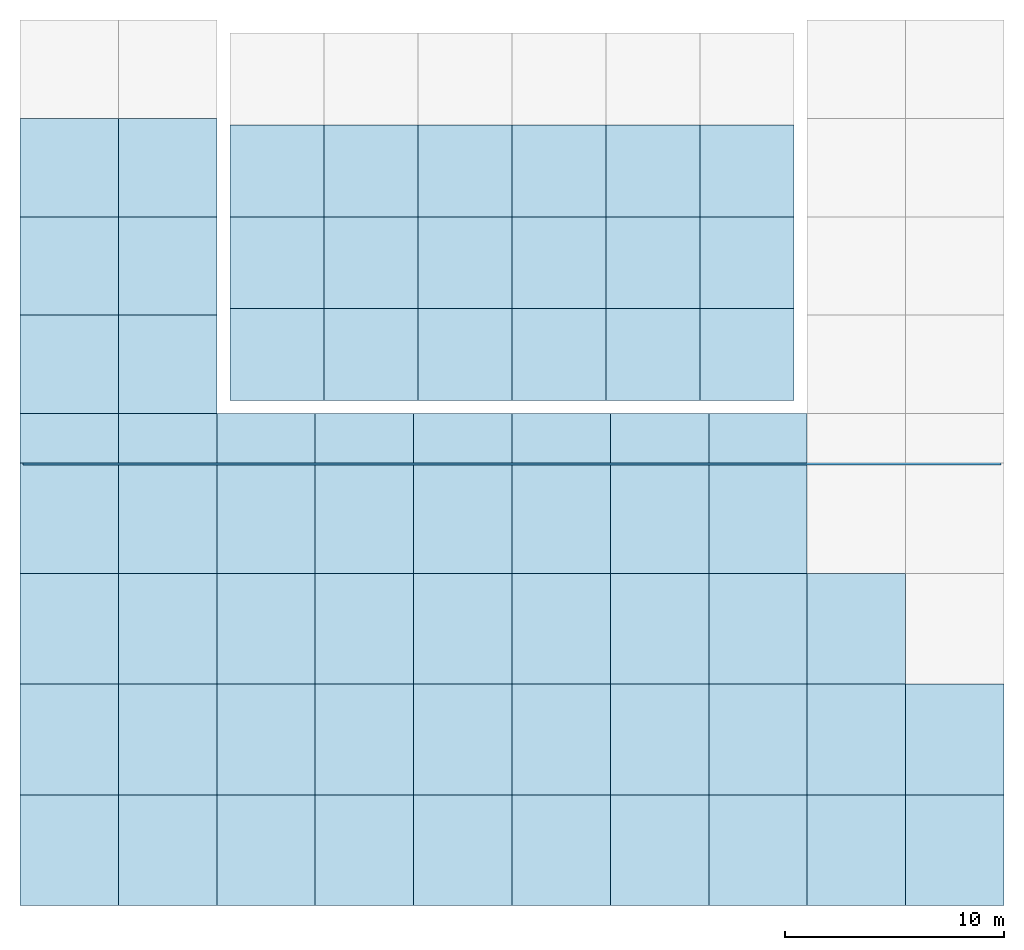
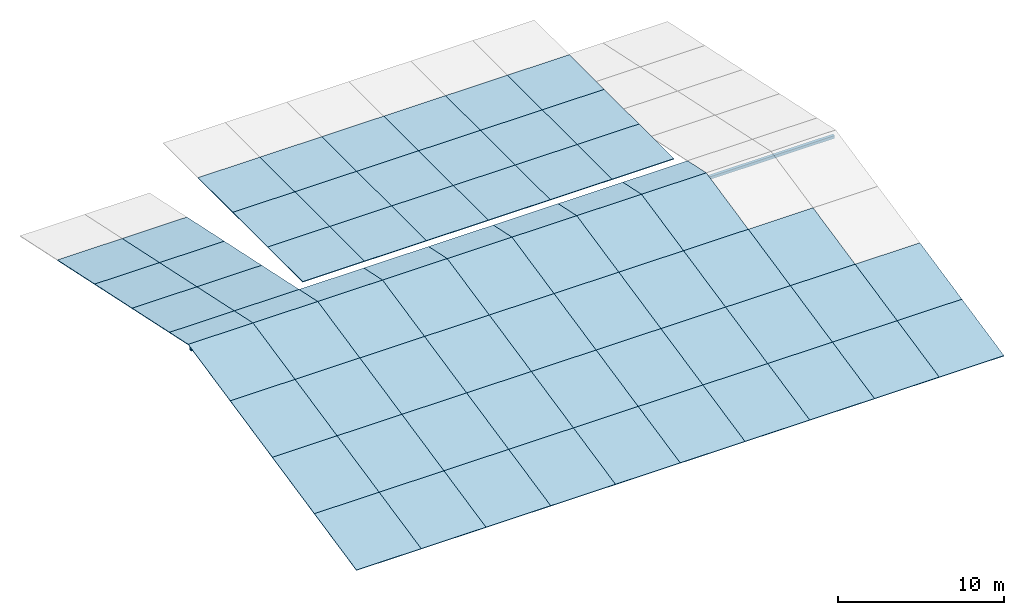
# One storey, part 1 of 2: 69 slabs, 1 beam, 1 element without a shape of its own.
"""IFC4 building model written with IfcOpenShell, lengths in metres."""

from ifc_helpers import new_model, si_unit, direction, frame, origin, origin_2d, place, context, subcontext, project, spatial, polyline, hollow_rectangle, outline, extrude, material, layer, layer_set, material_profile, profile_set, type_object, element, aggregate, save


model = new_model("IFC4")

# Units and contexts
model_context = context("Model", 3, precision=1e-05, world=origin(), true_north=direction((0.0, 1.0)))
body_context = subcontext(model_context, "Body", "Model", "MODEL_VIEW")
ifc_project = project(units=[si_unit("LENGTHUNIT", "METRE"), si_unit("AREAUNIT", "SQUARE_METRE"), si_unit("VOLUMEUNIT", "CUBIC_METRE"), si_unit("PLANEANGLEUNIT", "RADIAN"), si_unit("MASSUNIT", "GRAM", prefix="KILO")], contexts=[model_context])

# Site, building, storey
site_placement = place(None, origin())
site = spatial("IfcSite", under=ifc_project, at=site_placement, CompositionType="ELEMENT")
building_placement = place(site_placement, origin())
building = spatial("IfcBuilding", under=site, at=building_placement, Name="Orbiselva Terraces", CompositionType="ELEMENT")
storey_placement = place(building_placement, frame((0.0, 0.0, 311.922)))
storey = spatial("IfcBuildingStorey", under=building, at=storey_placement, Name="ROOF CROWN CANOPY", CompositionType="ELEMENT", Elevation=311.922)

# Beam
ifc_material_1 = material(Name="Steel ASTM A500 Grade C", Category="steel")
ifc_material_profile = material_profile(ifc_material_1, hollow_rectangle(XDim=0.2032, YDim=0.2032, WallThickness=0.00953, at=origin_2d()), Name="HSS203.2X203.2X9.5")
ifc_profile_set = profile_set([ifc_material_profile], Name="Steel ASTM A500 Grade C")
beam_type = type_object("IfcBeamType", Name="CANOPY EDGE BEAM HSS203.2X203.2X9.5", PredefinedType="BEAM", material=ifc_profile_set)
beam_placement = place(storey_placement, frame((-22.36345, 2.25, 0.1224), z_axis=(1.0, 0.0, 0.0), x_axis=(0.0, 1.0, 0.0)))
element("IfcBeam", 1, at=beam_placement, inside=storey, type_object=beam_type, Name="Canopy ridge beam", PredefinedType="BEAM", context=body_context, shape_type="SweptSolid", body=[
    extrude(hollow_rectangle(XDim=0.2032, YDim=0.2032, WallThickness=0.00953, at=origin_2d()), origin(), (0.0, 0.0, 1.0), 44.7269),
])

# Roof, slabs
ifc_material_2 = material(Name="Bonded two-ply safety glass", Category="glass")
roof_type = type_object("IfcRoofType", Name="ENV-CROWN-ROOF", PredefinedType="GABLE_ROOF", material=ifc_material_2)
roof_placement = place(storey_placement, origin())
roof = element("IfcRoof", 2, at=roof_placement, inside=storey, type_object=roof_type, Name="Crown canopy roof", PredefinedType="GABLE_ROOF")
ifc_layer = layer(ifc_material_2, 0.05)
ifc_layer_set = layer_set([ifc_layer], Name="Bonded two-ply safety glass")
slab_type = type_object("IfcSlabType", Name="ENV-CROWN-GLASS-ROOF-50", PredefinedType="ROOF", material=ifc_layer_set)
slab_1_placement = place(storey_placement, frame((-22.5, -18.0, -3.77627), z_axis=(0.0, -0.20791158111, 0.978147624053), x_axis=(1.0, 0.0, 0.0)))
slab_1 = element("IfcSlab", 3, at=slab_1_placement, type_object=slab_type, Name="Crown canopy glass panel", PredefinedType="ROOF", context=body_context, shape_type="SweptSolid", body=[
    extrude(outline(polyline([(0.0, 0.0), (4.5, 0.0), (4.5, 5.175599138118111), (0.0, 5.175599138118111), (0.0, 0.0)])), origin(), (0.0, 0.0, -1.0), 0.05),
])
slab_2_placement = place(storey_placement, frame((-18.0, -18.0, -3.77627), z_axis=(0.0, -0.20791158111, 0.978147624053), x_axis=(1.0, 0.0, 0.0)))
slab_2 = element("IfcSlab", 4, at=slab_2_placement, type_object=slab_type, Name="Crown canopy glass panel", PredefinedType="ROOF", context=body_context, shape_type="SweptSolid", body=[
    extrude(outline(polyline([(0.0, 0.0), (4.5, 0.0), (4.5, 5.175599138118111), (0.0, 5.175599138118111), (0.0, 0.0)])), origin(), (0.0, 0.0, -1.0), 0.05),
])
slab_3_placement = place(storey_placement, frame((-13.5, -18.0, -3.77627), z_axis=(0.0, -0.20791158111, 0.978147624053), x_axis=(1.0, 0.0, 0.0)))
slab_3 = element("IfcSlab", 5, at=slab_3_placement, type_object=slab_type, Name="Crown canopy glass panel", PredefinedType="ROOF", context=body_context, shape_type="SweptSolid", body=[
    extrude(outline(polyline([(0.0, 0.0), (4.5, 0.0), (4.5, 5.175599138118111), (0.0, 5.175599138118111), (0.0, 0.0)])), origin(), (0.0, 0.0, -1.0), 0.05),
])
slab_4_placement = place(storey_placement, frame((-9.0, -18.0, -3.77627), z_axis=(0.0, -0.20791158111, 0.978147624053), x_axis=(1.0, 0.0, 0.0)))
slab_4 = element("IfcSlab", 6, at=slab_4_placement, type_object=slab_type, Name="Crown canopy glass panel", PredefinedType="ROOF", context=body_context, shape_type="SweptSolid", body=[
    extrude(outline(polyline([(0.0, 0.0), (4.5, 0.0), (4.5, 5.175599138118111), (0.0, 5.175599138118111), (0.0, 0.0)])), origin(), (0.0, 0.0, -1.0), 0.05),
])
slab_5_placement = place(storey_placement, frame((-4.5, -18.0, -3.77627), z_axis=(0.0, -0.20791158111, 0.978147624053), x_axis=(1.0, 0.0, 0.0)))
slab_5 = element("IfcSlab", 7, at=slab_5_placement, type_object=slab_type, Name="Crown canopy glass panel", PredefinedType="ROOF", context=body_context, shape_type="SweptSolid", body=[
    extrude(outline(polyline([(0.0, 0.0), (4.5, 0.0), (4.5, 5.175599138118111), (0.0, 5.175599138118111), (0.0, 0.0)])), origin(), (0.0, 0.0, -1.0), 0.05),
])
slab_6_placement = place(storey_placement, frame((0.0, -18.0, -3.77627), z_axis=(0.0, -0.20791158111, 0.978147624053), x_axis=(1.0, 0.0, 0.0)))
slab_6 = element("IfcSlab", 8, at=slab_6_placement, type_object=slab_type, Name="Crown canopy glass panel", PredefinedType="ROOF", context=body_context, shape_type="SweptSolid", body=[
    extrude(outline(polyline([(0.0, 0.0), (4.5, 0.0), (4.5, 5.175599138118111), (0.0, 5.175599138118111), (0.0, 0.0)])), origin(), (0.0, 0.0, -1.0), 0.05),
])
slab_7_placement = place(storey_placement, frame((4.5, -18.0, -3.77627), z_axis=(0.0, -0.20791158111, 0.978147624053), x_axis=(1.0, 0.0, 0.0)))
slab_7 = element("IfcSlab", 9, at=slab_7_placement, type_object=slab_type, Name="Crown canopy glass panel", PredefinedType="ROOF", context=body_context, shape_type="SweptSolid", body=[
    extrude(outline(polyline([(0.0, 0.0), (4.5, 0.0), (4.5, 5.175599138118111), (0.0, 5.175599138118111), (0.0, 0.0)])), origin(), (0.0, 0.0, -1.0), 0.05),
])
slab_8_placement = place(storey_placement, frame((9.0, -18.0, -3.77627), z_axis=(0.0, -0.20791158111, 0.978147624053), x_axis=(1.0, 0.0, 0.0)))
slab_8 = element("IfcSlab", 10, at=slab_8_placement, type_object=slab_type, Name="Crown canopy glass panel", PredefinedType="ROOF", context=body_context, shape_type="SweptSolid", body=[
    extrude(outline(polyline([(0.0, 0.0), (4.5, 0.0), (4.5, 5.175599138118111), (0.0, 5.175599138118111), (0.0, 0.0)])), origin(), (0.0, 0.0, -1.0), 0.05),
])
slab_9_placement = place(storey_placement, frame((13.5, -18.0, -3.77627), z_axis=(0.0, -0.20791158111, 0.978147624053), x_axis=(1.0, 0.0, 0.0)))
slab_9 = element("IfcSlab", 11, at=slab_9_placement, type_object=slab_type, Name="Crown canopy glass panel", PredefinedType="ROOF", context=body_context, shape_type="SweptSolid", body=[
    extrude(outline(polyline([(0.0, 0.0), (4.5, 0.0), (4.5, 5.175599138118111), (0.0, 5.175599138118111), (0.0, 0.0)])), origin(), (0.0, 0.0, -1.0), 0.05),
])
slab_10_placement = place(storey_placement, frame((18.0, -18.0, -3.77627), z_axis=(0.0, -0.20791158111, 0.978147624053), x_axis=(1.0, 0.0, 0.0)))
slab_10 = element("IfcSlab", 12, at=slab_10_placement, type_object=slab_type, Name="Crown canopy glass panel", PredefinedType="ROOF", context=body_context, shape_type="SweptSolid", body=[
    extrude(outline(polyline([(0.0, 0.0), (4.5, 0.0), (4.5, 5.175599138118111), (0.0, 5.175599138118111), (0.0, 0.0)])), origin(), (0.0, 0.0, -1.0), 0.05),
])
slab_11_placement = place(storey_placement, frame((-22.5, -12.9375, -2.700203), z_axis=(0.0, -0.207911765973, 0.978147584759), x_axis=(1.0, 0.0, 0.0)))
slab_11 = element("IfcSlab", 13, at=slab_11_placement, type_object=slab_type, Name="Crown canopy glass panel", PredefinedType="ROOF", context=body_context, shape_type="SweptSolid", body=[
    extrude(outline(polyline([(0.0, 0.0), (4.5, 0.0), (4.5, 5.175599346029795), (0.0, 5.175599346029795), (0.0, 0.0)])), origin(), (0.0, 0.0, -1.0), 0.05),
])
slab_12_placement = place(storey_placement, frame((-18.0, -12.9375, -2.700203), z_axis=(0.0, -0.207911765973, 0.978147584759), x_axis=(1.0, 0.0, 0.0)))
slab_12 = element("IfcSlab", 14, at=slab_12_placement, type_object=slab_type, Name="Crown canopy glass panel", PredefinedType="ROOF", context=body_context, shape_type="SweptSolid", body=[
    extrude(outline(polyline([(0.0, 0.0), (4.5, 0.0), (4.5, 5.175599346029795), (0.0, 5.175599346029795), (0.0, 0.0)])), origin(), (0.0, 0.0, -1.0), 0.05),
])
slab_13_placement = place(storey_placement, frame((-13.5, -12.9375, -2.700203), z_axis=(0.0, -0.207911765973, 0.978147584759), x_axis=(1.0, 0.0, 0.0)))
slab_13 = element("IfcSlab", 15, at=slab_13_placement, type_object=slab_type, Name="Crown canopy glass panel", PredefinedType="ROOF", context=body_context, shape_type="SweptSolid", body=[
    extrude(outline(polyline([(0.0, 0.0), (4.5, 0.0), (4.5, 5.175599346029795), (0.0, 5.175599346029795), (0.0, 0.0)])), origin(), (0.0, 0.0, -1.0), 0.05),
])
slab_14_placement = place(storey_placement, frame((-9.0, -12.9375, -2.700203), z_axis=(0.0, -0.207911765973, 0.978147584759), x_axis=(1.0, 0.0, 0.0)))
slab_14 = element("IfcSlab", 16, at=slab_14_placement, type_object=slab_type, Name="Crown canopy glass panel", PredefinedType="ROOF", context=body_context, shape_type="SweptSolid", body=[
    extrude(outline(polyline([(0.0, 0.0), (4.5, 0.0), (4.5, 5.175599346029795), (0.0, 5.175599346029795), (0.0, 0.0)])), origin(), (0.0, 0.0, -1.0), 0.05),
])
slab_15_placement = place(storey_placement, frame((-4.5, -12.9375, -2.700203), z_axis=(0.0, -0.207911765973, 0.978147584759), x_axis=(1.0, 0.0, 0.0)))
slab_15 = element("IfcSlab", 17, at=slab_15_placement, type_object=slab_type, Name="Crown canopy glass panel", PredefinedType="ROOF", context=body_context, shape_type="SweptSolid", body=[
    extrude(outline(polyline([(0.0, 0.0), (4.5, 0.0), (4.5, 5.175599346029795), (0.0, 5.175599346029795), (0.0, 0.0)])), origin(), (0.0, 0.0, -1.0), 0.05),
])
slab_16_placement = place(storey_placement, frame((0.0, -12.9375, -2.700203), z_axis=(0.0, -0.207911765973, 0.978147584759), x_axis=(1.0, 0.0, 0.0)))
slab_16 = element("IfcSlab", 18, at=slab_16_placement, type_object=slab_type, Name="Crown canopy glass panel", PredefinedType="ROOF", context=body_context, shape_type="SweptSolid", body=[
    extrude(outline(polyline([(0.0, 0.0), (4.5, 0.0), (4.5, 5.175599346029795), (0.0, 5.175599346029795), (0.0, 0.0)])), origin(), (0.0, 0.0, -1.0), 0.05),
])
slab_17_placement = place(storey_placement, frame((4.5, -12.9375, -2.700203), z_axis=(0.0, -0.207911765973, 0.978147584759), x_axis=(1.0, 0.0, 0.0)))
slab_17 = element("IfcSlab", 19, at=slab_17_placement, type_object=slab_type, Name="Crown canopy glass panel", PredefinedType="ROOF", context=body_context, shape_type="SweptSolid", body=[
    extrude(outline(polyline([(0.0, 0.0), (4.5, 0.0), (4.5, 5.175599346029795), (0.0, 5.175599346029795), (0.0, 0.0)])), origin(), (0.0, 0.0, -1.0), 0.05),
])
slab_18_placement = place(storey_placement, frame((9.0, -12.9375, -2.700203), z_axis=(0.0, -0.207911765973, 0.978147584759), x_axis=(1.0, 0.0, 0.0)))
slab_18 = element("IfcSlab", 20, at=slab_18_placement, type_object=slab_type, Name="Crown canopy glass panel", PredefinedType="ROOF", context=body_context, shape_type="SweptSolid", body=[
    extrude(outline(polyline([(0.0, 0.0), (4.5, 0.0), (4.5, 5.175599346029795), (0.0, 5.175599346029795), (0.0, 0.0)])), origin(), (0.0, 0.0, -1.0), 0.05),
])
slab_19_placement = place(storey_placement, frame((13.5, -12.9375, -2.700203), z_axis=(0.0, -0.207911765973, 0.978147584759), x_axis=(1.0, 0.0, 0.0)))
slab_19 = element("IfcSlab", 21, at=slab_19_placement, type_object=slab_type, Name="Crown canopy glass panel", PredefinedType="ROOF", context=body_context, shape_type="SweptSolid", body=[
    extrude(outline(polyline([(0.0, 0.0), (4.5, 0.0), (4.5, 5.175599346029795), (0.0, 5.175599346029795), (0.0, 0.0)])), origin(), (0.0, 0.0, -1.0), 0.05),
])
slab_20_placement = place(storey_placement, frame((18.0, -12.9375, -2.700203), z_axis=(0.0, -0.207911765973, 0.978147584759), x_axis=(1.0, 0.0, 0.0)))
slab_20 = element("IfcSlab", 22, at=slab_20_placement, type_object=slab_type, Name="Crown canopy glass panel", PredefinedType="ROOF", context=body_context, shape_type="SweptSolid", body=[
    extrude(outline(polyline([(0.0, 0.0), (4.5, 0.0), (4.5, 5.175599346029795), (0.0, 5.175599346029795), (0.0, 0.0)])), origin(), (0.0, 0.0, -1.0), 0.05),
])
slab_21_placement = place(storey_placement, frame((-22.5, -7.875, -1.624135), z_axis=(0.0, -0.20791158111, 0.978147624053), x_axis=(1.0, 0.0, 0.0)))
slab_21 = element("IfcSlab", 23, at=slab_21_placement, type_object=slab_type, Name="Crown canopy glass panel", PredefinedType="ROOF", context=body_context, shape_type="SweptSolid", body=[
    extrude(outline(polyline([(0.0, 0.0), (4.5, 0.0), (4.5, 5.175599138118122), (0.0, 5.175599138118122), (0.0, 0.0)])), origin(), (0.0, 0.0, -1.0), 0.05),
])
slab_22_placement = place(storey_placement, frame((-18.0, -7.875, -1.624135), z_axis=(0.0, -0.20791158111, 0.978147624053), x_axis=(1.0, 0.0, 0.0)))
slab_22 = element("IfcSlab", 24, at=slab_22_placement, type_object=slab_type, Name="Crown canopy glass panel", PredefinedType="ROOF", context=body_context, shape_type="SweptSolid", body=[
    extrude(outline(polyline([(0.0, 0.0), (4.5, 0.0), (4.5, 5.175599138118122), (0.0, 5.175599138118122), (0.0, 0.0)])), origin(), (0.0, 0.0, -1.0), 0.05),
])
slab_23_placement = place(storey_placement, frame((-13.5, -7.875, -1.624135), z_axis=(0.0, -0.20791158111, 0.978147624053), x_axis=(1.0, 0.0, 0.0)))
slab_23 = element("IfcSlab", 25, at=slab_23_placement, type_object=slab_type, Name="Crown canopy glass panel", PredefinedType="ROOF", context=body_context, shape_type="SweptSolid", body=[
    extrude(outline(polyline([(0.0, 0.0), (4.5, 0.0), (4.5, 5.175599138118122), (0.0, 5.175599138118122), (0.0, 0.0)])), origin(), (0.0, 0.0, -1.0), 0.05),
])
slab_24_placement = place(storey_placement, frame((-9.0, -7.875, -1.624135), z_axis=(0.0, -0.20791158111, 0.978147624053), x_axis=(1.0, 0.0, 0.0)))
slab_24 = element("IfcSlab", 26, at=slab_24_placement, type_object=slab_type, Name="Crown canopy glass panel", PredefinedType="ROOF", context=body_context, shape_type="SweptSolid", body=[
    extrude(outline(polyline([(0.0, 0.0), (4.5, 0.0), (4.5, 5.175599138118122), (0.0, 5.175599138118122), (0.0, 0.0)])), origin(), (0.0, 0.0, -1.0), 0.05),
])
slab_25_placement = place(storey_placement, frame((-4.5, -7.875, -1.624135), z_axis=(0.0, -0.20791158111, 0.978147624053), x_axis=(1.0, 0.0, 0.0)))
slab_25 = element("IfcSlab", 27, at=slab_25_placement, type_object=slab_type, Name="Crown canopy glass panel", PredefinedType="ROOF", context=body_context, shape_type="SweptSolid", body=[
    extrude(outline(polyline([(0.0, 0.0), (4.5, 0.0), (4.5, 5.175599138118122), (0.0, 5.175599138118122), (0.0, 0.0)])), origin(), (0.0, 0.0, -1.0), 0.05),
])
slab_26_placement = place(storey_placement, frame((0.0, -7.875, -1.624135), z_axis=(0.0, -0.20791158111, 0.978147624053), x_axis=(1.0, 0.0, 0.0)))
slab_26 = element("IfcSlab", 28, at=slab_26_placement, type_object=slab_type, Name="Crown canopy glass panel", PredefinedType="ROOF", context=body_context, shape_type="SweptSolid", body=[
    extrude(outline(polyline([(0.0, 0.0), (4.5, 0.0), (4.5, 5.175599138118122), (0.0, 5.175599138118122), (0.0, 0.0)])), origin(), (0.0, 0.0, -1.0), 0.05),
])
slab_27_placement = place(storey_placement, frame((4.5, -7.875, -1.624135), z_axis=(0.0, -0.20791158111, 0.978147624053), x_axis=(1.0, 0.0, 0.0)))
slab_27 = element("IfcSlab", 29, at=slab_27_placement, type_object=slab_type, Name="Crown canopy glass panel", PredefinedType="ROOF", context=body_context, shape_type="SweptSolid", body=[
    extrude(outline(polyline([(0.0, 0.0), (4.5, 0.0), (4.5, 5.175599138118122), (0.0, 5.175599138118122), (0.0, 0.0)])), origin(), (0.0, 0.0, -1.0), 0.05),
])
slab_28_placement = place(storey_placement, frame((9.0, -7.875, -1.624135), z_axis=(0.0, -0.20791158111, 0.978147624053), x_axis=(1.0, 0.0, 0.0)))
slab_28 = element("IfcSlab", 30, at=slab_28_placement, type_object=slab_type, Name="Crown canopy glass panel", PredefinedType="ROOF", context=body_context, shape_type="SweptSolid", body=[
    extrude(outline(polyline([(0.0, 0.0), (4.5, 0.0), (4.5, 5.175599138118122), (0.0, 5.175599138118122), (0.0, 0.0)])), origin(), (0.0, 0.0, -1.0), 0.05),
])
slab_29_placement = place(storey_placement, frame((13.5, -7.875, -1.624135), z_axis=(0.0, -0.20791158111, 0.978147624053), x_axis=(1.0, 0.0, 0.0)))
slab_29 = element("IfcSlab", 31, at=slab_29_placement, type_object=slab_type, Name="Crown canopy glass panel", PredefinedType="ROOF", context=body_context, shape_type="SweptSolid", body=[
    extrude(outline(polyline([(0.0, 0.0), (4.5, 0.0), (4.5, 5.175599138118122), (0.0, 5.175599138118122), (0.0, 0.0)])), origin(), (0.0, 0.0, -1.0), 0.05),
])
slab_30_placement = place(storey_placement, frame((-22.5, -2.8125, -0.548068), z_axis=(0.0, -0.207911765973, 0.978147584759), x_axis=(1.0, 0.0, 0.0)))
slab_30 = element("IfcSlab", 32, at=slab_30_placement, type_object=slab_type, Name="Crown canopy glass panel", PredefinedType="ROOF", context=body_context, shape_type="SweptSolid", body=[
    extrude(outline(polyline([(0.0, 0.0), (4.5, 0.0), (4.5, 5.1755993460297836), (0.0, 5.1755993460297836), (0.0, 0.0)])), origin(), (0.0, 0.0, -1.0), 0.05),
])
slab_31_placement = place(storey_placement, frame((-18.0, -2.8125, -0.548068), z_axis=(0.0, -0.207911765973, 0.978147584759), x_axis=(1.0, 0.0, 0.0)))
slab_31 = element("IfcSlab", 33, at=slab_31_placement, type_object=slab_type, Name="Crown canopy glass panel", PredefinedType="ROOF", context=body_context, shape_type="SweptSolid", body=[
    extrude(outline(polyline([(0.0, 0.0), (4.5, 0.0), (4.5, 5.1755993460297836), (0.0, 5.1755993460297836), (0.0, 0.0)])), origin(), (0.0, 0.0, -1.0), 0.05),
])
slab_32_placement = place(storey_placement, frame((-13.5, -2.8125, -0.548068), z_axis=(0.0, -0.207911765973, 0.978147584759), x_axis=(1.0, 0.0, 0.0)))
slab_32 = element("IfcSlab", 34, at=slab_32_placement, type_object=slab_type, Name="Crown canopy glass panel", PredefinedType="ROOF", context=body_context, shape_type="SweptSolid", body=[
    extrude(outline(polyline([(0.0, 0.0), (4.5, 0.0), (4.5, 5.1755993460297836), (0.0, 5.1755993460297836), (0.0, 0.0)])), origin(), (0.0, 0.0, -1.0), 0.05),
])
slab_33_placement = place(storey_placement, frame((-9.0, -2.8125, -0.548068), z_axis=(0.0, -0.207911765973, 0.978147584759), x_axis=(1.0, 0.0, 0.0)))
slab_33 = element("IfcSlab", 35, at=slab_33_placement, type_object=slab_type, Name="Crown canopy glass panel", PredefinedType="ROOF", context=body_context, shape_type="SweptSolid", body=[
    extrude(outline(polyline([(0.0, 0.0), (4.5, 0.0), (4.5, 5.1755993460297836), (0.0, 5.1755993460297836), (0.0, 0.0)])), origin(), (0.0, 0.0, -1.0), 0.05),
])
slab_34_placement = place(storey_placement, frame((-4.5, -2.8125, -0.548068), z_axis=(0.0, -0.207911765973, 0.978147584759), x_axis=(1.0, 0.0, 0.0)))
slab_34 = element("IfcSlab", 36, at=slab_34_placement, type_object=slab_type, Name="Crown canopy glass panel", PredefinedType="ROOF", context=body_context, shape_type="SweptSolid", body=[
    extrude(outline(polyline([(0.0, 0.0), (4.5, 0.0), (4.5, 5.1755993460297836), (0.0, 5.1755993460297836), (0.0, 0.0)])), origin(), (0.0, 0.0, -1.0), 0.05),
])
slab_35_placement = place(storey_placement, frame((0.0, -2.8125, -0.548068), z_axis=(0.0, -0.207911765973, 0.978147584759), x_axis=(1.0, 0.0, 0.0)))
slab_35 = element("IfcSlab", 37, at=slab_35_placement, type_object=slab_type, Name="Crown canopy glass panel", PredefinedType="ROOF", context=body_context, shape_type="SweptSolid", body=[
    extrude(outline(polyline([(0.0, 0.0), (4.5, 0.0), (4.5, 5.1755993460297836), (0.0, 5.1755993460297836), (0.0, 0.0)])), origin(), (0.0, 0.0, -1.0), 0.05),
])
slab_36_placement = place(storey_placement, frame((4.5, -2.8125, -0.548068), z_axis=(0.0, -0.207911765973, 0.978147584759), x_axis=(1.0, 0.0, 0.0)))
slab_36 = element("IfcSlab", 38, at=slab_36_placement, type_object=slab_type, Name="Crown canopy glass panel", PredefinedType="ROOF", context=body_context, shape_type="SweptSolid", body=[
    extrude(outline(polyline([(0.0, 0.0), (4.5, 0.0), (4.5, 5.1755993460297836), (0.0, 5.1755993460297836), (0.0, 0.0)])), origin(), (0.0, 0.0, -1.0), 0.05),
])
slab_37_placement = place(storey_placement, frame((9.0, -2.8125, -0.548068), z_axis=(0.0, -0.207911765973, 0.978147584759), x_axis=(1.0, 0.0, 0.0)))
slab_37 = element("IfcSlab", 39, at=slab_37_placement, type_object=slab_type, Name="Crown canopy glass panel", PredefinedType="ROOF", context=body_context, shape_type="SweptSolid", body=[
    extrude(outline(polyline([(0.0, 0.0), (4.5, 0.0), (4.5, 5.1755993460297836), (0.0, 5.1755993460297836), (0.0, 0.0)])), origin(), (0.0, 0.0, -1.0), 0.05),
])
slab_38_placement = place(storey_placement, frame((-22.5, 2.25, 0.528), z_axis=(0.0, 0.20791158111, 0.978147624053), x_axis=(1.0, 0.0, 0.0)))
slab_38 = element("IfcSlab", 40, at=slab_38_placement, type_object=slab_type, Name="Crown canopy glass panel", PredefinedType="ROOF", context=body_context, shape_type="SweptSolid", body=[
    extrude(outline(polyline([(0.0, 0.0), (4.5, 0.0), (4.5, 2.300266283608052), (0.0, 2.300266283608052), (0.0, 0.0)])), origin(), (0.0, 0.0, -1.0), 0.05),
])
slab_39_placement = place(storey_placement, frame((-18.0, 2.25, 0.528), z_axis=(0.0, 0.20791158111, 0.978147624053), x_axis=(1.0, 0.0, 0.0)))
slab_39 = element("IfcSlab", 41, at=slab_39_placement, type_object=slab_type, Name="Crown canopy glass panel", PredefinedType="ROOF", context=body_context, shape_type="SweptSolid", body=[
    extrude(outline(polyline([(0.0, 0.0), (4.5, 0.0), (4.5, 2.300266283608052), (0.0, 2.300266283608052), (0.0, 0.0)])), origin(), (0.0, 0.0, -1.0), 0.05),
])
slab_40_placement = place(storey_placement, frame((-13.5, 2.25, 0.528), z_axis=(0.0, 0.20791158111, 0.978147624053), x_axis=(1.0, 0.0, 0.0)))
slab_40 = element("IfcSlab", 42, at=slab_40_placement, type_object=slab_type, Name="Crown canopy glass panel", PredefinedType="ROOF", context=body_context, shape_type="SweptSolid", body=[
    extrude(outline(polyline([(0.0, 0.0), (4.5, 0.0), (4.5, 2.300266283608052), (0.0, 2.300266283608052), (0.0, 0.0)])), origin(), (0.0, 0.0, -1.0), 0.05),
])
slab_41_placement = place(storey_placement, frame((-9.0, 2.25, 0.528), z_axis=(0.0, 0.20791158111, 0.978147624053), x_axis=(1.0, 0.0, 0.0)))
slab_41 = element("IfcSlab", 43, at=slab_41_placement, type_object=slab_type, Name="Crown canopy glass panel", PredefinedType="ROOF", context=body_context, shape_type="SweptSolid", body=[
    extrude(outline(polyline([(0.0, 0.0), (4.5, 0.0), (4.5, 2.300266283608052), (0.0, 2.300266283608052), (0.0, 0.0)])), origin(), (0.0, 0.0, -1.0), 0.05),
])
slab_42_placement = place(storey_placement, frame((-4.5, 2.25, 0.528), z_axis=(0.0, 0.20791158111, 0.978147624053), x_axis=(1.0, 0.0, 0.0)))
slab_42 = element("IfcSlab", 44, at=slab_42_placement, type_object=slab_type, Name="Crown canopy glass panel", PredefinedType="ROOF", context=body_context, shape_type="SweptSolid", body=[
    extrude(outline(polyline([(0.0, 0.0), (4.5, 0.0), (4.5, 2.300266283608052), (0.0, 2.300266283608052), (0.0, 0.0)])), origin(), (0.0, 0.0, -1.0), 0.05),
])
slab_43_placement = place(storey_placement, frame((0.0, 2.25, 0.528), z_axis=(0.0, 0.20791158111, 0.978147624053), x_axis=(1.0, 0.0, 0.0)))
slab_43 = element("IfcSlab", 45, at=slab_43_placement, type_object=slab_type, Name="Crown canopy glass panel", PredefinedType="ROOF", context=body_context, shape_type="SweptSolid", body=[
    extrude(outline(polyline([(0.0, 0.0), (4.5, 0.0), (4.5, 2.300266283608052), (0.0, 2.300266283608052), (0.0, 0.0)])), origin(), (0.0, 0.0, -1.0), 0.05),
])
slab_44_placement = place(storey_placement, frame((4.5, 2.25, 0.528), z_axis=(0.0, 0.20791158111, 0.978147624053), x_axis=(1.0, 0.0, 0.0)))
slab_44 = element("IfcSlab", 46, at=slab_44_placement, type_object=slab_type, Name="Crown canopy glass panel", PredefinedType="ROOF", context=body_context, shape_type="SweptSolid", body=[
    extrude(outline(polyline([(0.0, 0.0), (4.5, 0.0), (4.5, 2.300266283608052), (0.0, 2.300266283608052), (0.0, 0.0)])), origin(), (0.0, 0.0, -1.0), 0.05),
])
slab_45_placement = place(storey_placement, frame((9.0, 2.25, 0.528), z_axis=(0.0, 0.20791158111, 0.978147624053), x_axis=(1.0, 0.0, 0.0)))
slab_45 = element("IfcSlab", 47, at=slab_45_placement, type_object=slab_type, Name="Crown canopy glass panel", PredefinedType="ROOF", context=body_context, shape_type="SweptSolid", body=[
    extrude(outline(polyline([(0.0, 0.0), (4.5, 0.0), (4.5, 2.300266283608052), (0.0, 2.300266283608052), (0.0, 0.0)])), origin(), (0.0, 0.0, -1.0), 0.05),
])
slab_46_placement = place(storey_placement, frame((-22.5, 4.5, 0.049748), z_axis=(0.0, 0.20791178908, 0.978147579847), x_axis=(1.0, 0.0, 0.0)))
slab_46 = element("IfcSlab", 48, at=slab_46_placement, type_object=slab_type, Name="Crown canopy glass panel", PredefinedType="ROOF", context=body_context, shape_type="SweptSolid", body=[
    extrude(outline(polyline([(0.0, 0.0), (4.5, 0.0), (4.5, 4.600532775127787), (0.0, 4.600532775127787), (0.0, 0.0)])), origin(), (0.0, 0.0, -1.0), 0.05),
])
slab_47_placement = place(storey_placement, frame((-18.0, 4.5, 0.049748), z_axis=(0.0, 0.20791178908, 0.978147579847), x_axis=(1.0, 0.0, 0.0)))
slab_47 = element("IfcSlab", 49, at=slab_47_placement, type_object=slab_type, Name="Crown canopy glass panel", PredefinedType="ROOF", context=body_context, shape_type="SweptSolid", body=[
    extrude(outline(polyline([(0.0, 0.0), (4.5, 0.0), (4.5, 4.600532775127787), (0.0, 4.600532775127787), (0.0, 0.0)])), origin(), (0.0, 0.0, -1.0), 0.05),
])
slab_48_placement = place(storey_placement, frame((-22.5, 9.0, -0.906757), z_axis=(0.0, 0.20791158111, 0.978147624053), x_axis=(1.0, 0.0, 0.0)))
slab_48 = element("IfcSlab", 50, at=slab_48_placement, type_object=slab_type, Name="Crown canopy glass panel", PredefinedType="ROOF", context=body_context, shape_type="SweptSolid", body=[
    extrude(outline(polyline([(0.0, 0.0), (4.5, 0.0), (4.5, 4.600532567216104), (0.0, 4.600532567216104), (0.0, 0.0)])), origin(), (0.0, 0.0, -1.0), 0.05),
])
slab_49_placement = place(storey_placement, frame((-18.0, 9.0, -0.906757), z_axis=(0.0, 0.20791158111, 0.978147624053), x_axis=(1.0, 0.0, 0.0)))
slab_49 = element("IfcSlab", 51, at=slab_49_placement, type_object=slab_type, Name="Crown canopy glass panel", PredefinedType="ROOF", context=body_context, shape_type="SweptSolid", body=[
    extrude(outline(polyline([(0.0, 0.0), (4.5, 0.0), (4.5, 4.600532567216104), (0.0, 4.600532567216104), (0.0, 0.0)])), origin(), (0.0, 0.0, -1.0), 0.05),
])
slab_50_placement = place(storey_placement, frame((-22.5, 13.5, -1.863261), z_axis=(0.0, 0.20791178908, 0.978147579847), x_axis=(1.0, 0.0, 0.0)))
slab_50 = element("IfcSlab", 52, at=slab_50_placement, type_object=slab_type, Name="Crown canopy glass panel", PredefinedType="ROOF", context=body_context, shape_type="SweptSolid", body=[
    extrude(outline(polyline([(0.0, 0.0), (4.5, 0.0), (4.5, 4.600532775127787), (0.0, 4.600532775127787), (0.0, 0.0)])), origin(), (0.0, 0.0, -1.0), 0.05),
])
slab_51_placement = place(storey_placement, frame((-18.0, 13.5, -1.863261), z_axis=(0.0, 0.20791178908, 0.978147579847), x_axis=(1.0, 0.0, 0.0)))
slab_51 = element("IfcSlab", 53, at=slab_51_placement, type_object=slab_type, Name="Crown canopy glass panel", PredefinedType="ROOF", context=body_context, shape_type="SweptSolid", body=[
    extrude(outline(polyline([(0.0, 0.0), (4.5, 0.0), (4.5, 4.600532775127787), (0.0, 4.600532775127787), (0.0, 0.0)])), origin(), (0.0, 0.0, -1.0), 0.05),
])
slab_52_placement = place(storey_placement, frame((0.0, 0.0, -0.0003)))
slab_52 = element("IfcSlab", 54, at=slab_52_placement, type_object=slab_type, Name="Crown canopy glass panel over the core", PredefinedType="ROOF", context=body_context, shape_type="SweptSolid", body=[
    extrude(outline(polyline([(-12.9, 5.1), (-8.6, 5.1), (-8.6, 9.3), (-12.9, 9.3), (-12.9, 5.1)])), origin(), (0.0, 0.0, 1.0), 0.05),
])
slab_53_placement = place(storey_placement, frame((0.0, 0.0, -0.0003)))
slab_53 = element("IfcSlab", 55, at=slab_53_placement, type_object=slab_type, Name="Crown canopy glass panel over the core", PredefinedType="ROOF", context=body_context, shape_type="SweptSolid", body=[
    extrude(outline(polyline([(-8.6, 5.1), (-4.3, 5.1), (-4.3, 9.3), (-8.6, 9.3), (-8.6, 5.1)])), origin(), (0.0, 0.0, 1.0), 0.05),
])
slab_54_placement = place(storey_placement, frame((0.0, 0.0, -0.0003)))
slab_54 = element("IfcSlab", 56, at=slab_54_placement, type_object=slab_type, Name="Crown canopy glass panel over the core", PredefinedType="ROOF", context=body_context, shape_type="SweptSolid", body=[
    extrude(outline(polyline([(-4.3, 5.1), (0.0, 5.1), (0.0, 9.3), (-4.3, 9.3), (-4.3, 5.1)])), origin(), (0.0, 0.0, 1.0), 0.05),
])
slab_55_placement = place(storey_placement, frame((0.0, 0.0, -0.0003)))
slab_55 = element("IfcSlab", 57, at=slab_55_placement, type_object=slab_type, Name="Crown canopy glass panel over the core", PredefinedType="ROOF", context=body_context, shape_type="SweptSolid", body=[
    extrude(outline(polyline([(0.0, 5.1), (4.3, 5.1), (4.3, 9.3), (0.0, 9.3), (0.0, 5.1)])), origin(), (0.0, 0.0, 1.0), 0.05),
])
slab_56_placement = place(storey_placement, frame((0.0, 0.0, -0.0003)))
slab_56 = element("IfcSlab", 58, at=slab_56_placement, type_object=slab_type, Name="Crown canopy glass panel over the core", PredefinedType="ROOF", context=body_context, shape_type="SweptSolid", body=[
    extrude(outline(polyline([(4.3, 5.1), (8.6, 5.1), (8.6, 9.3), (4.3, 9.3), (4.3, 5.1)])), origin(), (0.0, 0.0, 1.0), 0.05),
])
slab_57_placement = place(storey_placement, frame((0.0, 0.0, -0.0003)))
slab_57 = element("IfcSlab", 59, at=slab_57_placement, type_object=slab_type, Name="Crown canopy glass panel over the core", PredefinedType="ROOF", context=body_context, shape_type="SweptSolid", body=[
    extrude(outline(polyline([(8.6, 5.1), (12.9, 5.1), (12.9, 9.3), (8.6, 9.3), (8.6, 5.1)])), origin(), (0.0, 0.0, 1.0), 0.05),
])
slab_58_placement = place(storey_placement, frame((0.0, 0.0, -0.0003)))
slab_58 = element("IfcSlab", 60, at=slab_58_placement, type_object=slab_type, Name="Crown canopy glass panel over the core", PredefinedType="ROOF", context=body_context, shape_type="SweptSolid", body=[
    extrude(outline(polyline([(-12.9, 9.3), (-8.6, 9.3), (-8.6, 13.5), (-12.9, 13.5), (-12.9, 9.3)])), origin(), (0.0, 0.0, 1.0), 0.05),
])
slab_59_placement = place(storey_placement, frame((0.0, 0.0, -0.0003)))
slab_59 = element("IfcSlab", 61, at=slab_59_placement, type_object=slab_type, Name="Crown canopy glass panel over the core", PredefinedType="ROOF", context=body_context, shape_type="SweptSolid", body=[
    extrude(outline(polyline([(-8.6, 9.3), (-4.3, 9.3), (-4.3, 13.5), (-8.6, 13.5), (-8.6, 9.3)])), origin(), (0.0, 0.0, 1.0), 0.05),
])
slab_60_placement = place(storey_placement, frame((0.0, 0.0, -0.0003)))
slab_60 = element("IfcSlab", 62, at=slab_60_placement, type_object=slab_type, Name="Crown canopy glass panel over the core", PredefinedType="ROOF", context=body_context, shape_type="SweptSolid", body=[
    extrude(outline(polyline([(-4.3, 9.3), (0.0, 9.3), (0.0, 13.5), (-4.3, 13.5), (-4.3, 9.3)])), origin(), (0.0, 0.0, 1.0), 0.05),
])
slab_61_placement = place(storey_placement, frame((0.0, 0.0, -0.0003)))
slab_61 = element("IfcSlab", 63, at=slab_61_placement, type_object=slab_type, Name="Crown canopy glass panel over the core", PredefinedType="ROOF", context=body_context, shape_type="SweptSolid", body=[
    extrude(outline(polyline([(0.0, 9.3), (4.3, 9.3), (4.3, 13.5), (0.0, 13.5), (0.0, 9.3)])), origin(), (0.0, 0.0, 1.0), 0.05),
])
slab_62_placement = place(storey_placement, frame((0.0, 0.0, -0.0003)))
slab_62 = element("IfcSlab", 64, at=slab_62_placement, type_object=slab_type, Name="Crown canopy glass panel over the core", PredefinedType="ROOF", context=body_context, shape_type="SweptSolid", body=[
    extrude(outline(polyline([(4.3, 9.3), (8.6, 9.3), (8.6, 13.5), (4.3, 13.5), (4.3, 9.3)])), origin(), (0.0, 0.0, 1.0), 0.05),
])
slab_63_placement = place(storey_placement, frame((0.0, 0.0, -0.0003)))
slab_63 = element("IfcSlab", 65, at=slab_63_placement, type_object=slab_type, Name="Crown canopy glass panel over the core", PredefinedType="ROOF", context=body_context, shape_type="SweptSolid", body=[
    extrude(outline(polyline([(8.6, 9.3), (12.9, 9.3), (12.9, 13.5), (8.6, 13.5), (8.6, 9.3)])), origin(), (0.0, 0.0, 1.0), 0.05),
])
slab_64_placement = place(storey_placement, frame((0.0, 0.0, -0.0003)))
slab_64 = element("IfcSlab", 66, at=slab_64_placement, type_object=slab_type, Name="Crown canopy glass panel over the core", PredefinedType="ROOF", context=body_context, shape_type="SweptSolid", body=[
    extrude(outline(polyline([(-12.9, 13.5), (-8.6, 13.5), (-8.6, 17.7), (-12.9, 17.7), (-12.9, 13.5)])), origin(), (0.0, 0.0, 1.0), 0.05),
])
slab_65_placement = place(storey_placement, frame((0.0, 0.0, -0.0003)))
slab_65 = element("IfcSlab", 67, at=slab_65_placement, type_object=slab_type, Name="Crown canopy glass panel over the core", PredefinedType="ROOF", context=body_context, shape_type="SweptSolid", body=[
    extrude(outline(polyline([(-8.6, 13.5), (-4.3, 13.5), (-4.3, 17.7), (-8.6, 17.7), (-8.6, 13.5)])), origin(), (0.0, 0.0, 1.0), 0.05),
])
slab_66_placement = place(storey_placement, frame((0.0, 0.0, -0.0003)))
slab_66 = element("IfcSlab", 68, at=slab_66_placement, type_object=slab_type, Name="Crown canopy glass panel over the core", PredefinedType="ROOF", context=body_context, shape_type="SweptSolid", body=[
    extrude(outline(polyline([(-4.3, 13.5), (0.0, 13.5), (0.0, 17.7), (-4.3, 17.7), (-4.3, 13.5)])), origin(), (0.0, 0.0, 1.0), 0.05),
])
slab_67_placement = place(storey_placement, frame((0.0, 0.0, -0.0003)))
slab_67 = element("IfcSlab", 69, at=slab_67_placement, type_object=slab_type, Name="Crown canopy glass panel over the core", PredefinedType="ROOF", context=body_context, shape_type="SweptSolid", body=[
    extrude(outline(polyline([(0.0, 13.5), (4.3, 13.5), (4.3, 17.7), (0.0, 17.7), (0.0, 13.5)])), origin(), (0.0, 0.0, 1.0), 0.05),
])
slab_68_placement = place(storey_placement, frame((0.0, 0.0, -0.0003)))
slab_68 = element("IfcSlab", 70, at=slab_68_placement, type_object=slab_type, Name="Crown canopy glass panel over the core", PredefinedType="ROOF", context=body_context, shape_type="SweptSolid", body=[
    extrude(outline(polyline([(4.3, 13.5), (8.6, 13.5), (8.6, 17.7), (4.3, 17.7), (4.3, 13.5)])), origin(), (0.0, 0.0, 1.0), 0.05),
])
slab_69_placement = place(storey_placement, frame((0.0, 0.0, -0.0003)))
slab_69 = element("IfcSlab", 71, at=slab_69_placement, type_object=slab_type, Name="Crown canopy glass panel over the core", PredefinedType="ROOF", context=body_context, shape_type="SweptSolid", body=[
    extrude(outline(polyline([(8.6, 13.5), (12.9, 13.5), (12.9, 17.7), (8.6, 17.7), (8.6, 13.5)])), origin(), (0.0, 0.0, 1.0), 0.05),
])
aggregate(roof, [slab_1, slab_2, slab_3, slab_4, slab_5, slab_6, slab_7, slab_8, slab_9, slab_10, slab_11, slab_12, slab_13, slab_14, slab_15, slab_16, slab_17, slab_18, slab_19, slab_20, slab_21, slab_22, slab_23, slab_24, slab_25, slab_26, slab_27, slab_28, slab_29, slab_30, slab_31, slab_32, slab_33, slab_34, slab_35, slab_36, slab_37, slab_38, slab_39, slab_40, slab_41, slab_42, slab_43, slab_44, slab_45, slab_46, slab_47, slab_48, slab_49, slab_50, slab_51, slab_52, slab_53, slab_54, slab_55, slab_56, slab_57, slab_58, slab_59, slab_60, slab_61, slab_62, slab_63, slab_64, slab_65, slab_66, slab_67, slab_68, slab_69])

save(model, "model.ifc")
